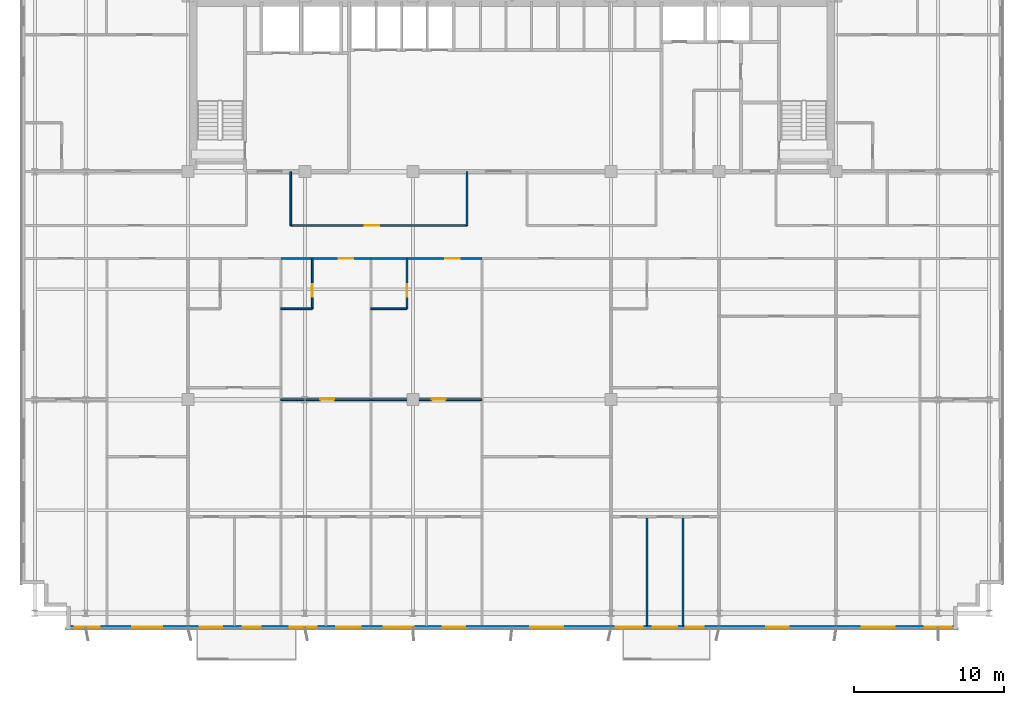
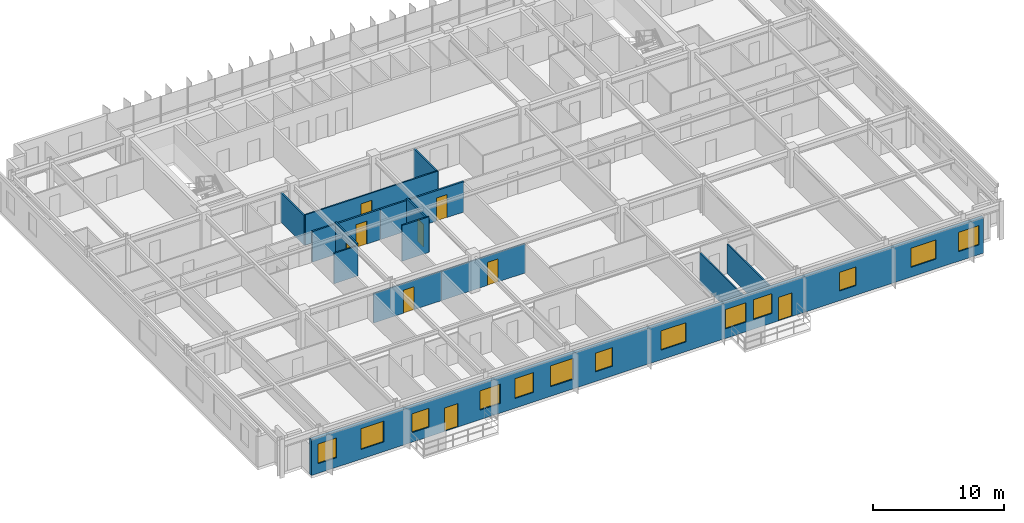
# One storey, part 15 of 22: 14 walls, 13 windows, 9 doors, 22 openings.
"""IFC4 building model written with IfcOpenShell, lengths in metres."""

from ifc_helpers import new_model, si_unit, direction, frame, frame_2d, origin, place, context, subcontext, project, spatial, rectangle, extrude, source, transform, mapped, material, layer, layer_set, type_object, element, fill, save


model = new_model("IFC4")

# Units and contexts
model_context = context("Model", 3, precision=1e-05, world=origin(), true_north=direction((0.0, 1.0)))
body_context = subcontext(model_context, "Body", "Model", "MODEL_VIEW")
ifc_project = project(units=[si_unit("LENGTHUNIT", "METRE"), si_unit("AREAUNIT", "SQUARE_METRE"), si_unit("VOLUMEUNIT", "CUBIC_METRE"), si_unit("PLANEANGLEUNIT", "RADIAN"), si_unit("MASSUNIT", "GRAM", prefix="KILO")], contexts=[model_context])

# Site, building, storey
site_placement = place(None, origin())
site = spatial("IfcSite", under=ifc_project, at=site_placement, CompositionType="ELEMENT")
building_placement = place(site_placement, origin())
building = spatial("IfcBuilding", under=site, at=building_placement, Name="Trelvane Seafront Commons", CompositionType="ELEMENT")
storey_placement = place(building_placement, frame((0.0, 0.0, 117.699951171875)))
storey = spatial("IfcBuildingStorey", under=building, at=storey_placement, Name="L30", CompositionType="ELEMENT", Elevation=117.699951171875)

# Wall, openings, doors, windows
ifc_material_1 = material(Name="Precast concrete C40/50", Category="concrete")
ifc_layer_1 = layer(ifc_material_1, 0.260009765625, Name="ARCH-WALL-EXT260")
ifc_layer_set_1 = layer_set([ifc_layer_1], Name="Precast concrete C40/50")
wall_type_1 = type_object("IfcWallType", Name="ARCH-WALL-EXT260", PredefinedType="SOLIDWALL", material=ifc_layer_set_1)
wall_1_placement = place(storey_placement, frame((66.89990234375, 3.030029296875, 0.0), z_axis=(0.0, 0.0, 1.0), x_axis=(-1.0, 0.0, 0.0)))
wall_1 = element("IfcWall", 1, at=wall_1_placement, inside=storey, type_object=wall_type_1, Name="EW-L30-00578", PredefinedType="SOLIDWALL", context=body_context, shape_type="SweptSolid", body=[
    extrude(rectangle(XDim=59.39990234375, YDim=0.260009765625, at=frame_2d((29.699951171875, 0.0))), origin(), (0.0, 0.0, 1.0), 3.340087890625),
])
opening_1_placement = place(wall_1_placement, frame((0.39501953125, 0.0, 0.89990234375)))
opening_1 = element("IfcOpeningElement", 2, at=opening_1_placement, cuts=wall_1, Name="Opening W01", PredefinedType="OPENING", context=body_context, shape_type="SweptSolid", body=[
    extrude(rectangle(XDim=1.800048828125, YDim=1.800048828125, at=frame_2d((0.89990234375, 0.89990234375))), frame((0.0, 0.139892578125, 0.0), z_axis=(0.0, -1.0, 0.0), x_axis=(1.0, 0.0, 0.0)), (0.0, 0.0, 1.0), 0.280029296875),
])
opening_2_placement = place(wall_1_placement, frame((4.199951171875, 0.0, 0.89990234375)))
opening_2 = element("IfcOpeningElement", 3, at=opening_2_placement, cuts=wall_1, Name="Opening W02", PredefinedType="OPENING", context=body_context, shape_type="SweptSolid", body=[
    extrude(rectangle(XDim=2.199951171875, YDim=1.800048828125, at=frame_2d((1.10009765625, 0.89990234375))), frame((0.0, 0.139892578125, 0.0), z_axis=(0.0, -1.0, 0.0), x_axis=(1.0, 0.0, 0.0)), (0.0, 0.0, 1.0), 0.280029296875),
])
opening_3_placement = place(wall_1_placement, frame((11.25, 0.0, 0.89990234375)))
opening_3 = element("IfcOpeningElement", 4, at=opening_3_placement, cuts=wall_1, Name="Opening W03", PredefinedType="OPENING", context=body_context, shape_type="SweptSolid", body=[
    extrude(rectangle(XDim=1.5, YDim=1.75, at=frame_2d((0.75, 0.875))), frame((0.0, 0.139892578125, 0.0), z_axis=(0.0, -1.0, 0.0), x_axis=(1.0, 0.0, 0.0)), (0.0, 0.0, 1.0), 0.280029296875),
])
opening_4_placement = place(wall_1_placement, frame((16.919921875, 0.0, 0.0)))
opening_4 = element("IfcOpeningElement", 5, at=opening_4_placement, cuts=wall_1, Name="Opening BD-L30-72", PredefinedType="OPENING", context=body_context, shape_type="SweptSolid", body=[
    extrude(rectangle(XDim=1.199951171875, YDim=2.199951171875, at=frame_2d((0.60009765625, 1.10009765625))), frame((0.0, 0.139892578125, 0.0), z_axis=(0.0, -1.0, 0.0), x_axis=(1.0, 0.0, 0.0)), (0.0, 0.0, 1.0), 0.280029296875),
])
opening_5_placement = place(wall_1_placement, frame((18.675048828125, 0.0, 0.89990234375)))
opening_5 = element("IfcOpeningElement", 6, at=opening_5_placement, cuts=wall_1, Name="Opening W07", PredefinedType="OPENING", context=body_context, shape_type="SweptSolid", body=[
    extrude(rectangle(XDim=1.64990234375, YDim=1.85009765625, at=frame_2d((0.824951171875, 0.925048828125))), frame((0.0, 0.139892578125, 0.0), z_axis=(0.0, -1.0, 0.0), x_axis=(1.0, 0.0, 0.0)), (0.0, 0.0, 1.0), 0.280029296875),
])
opening_6_placement = place(wall_1_placement, frame((21.0, 0.0, 0.89990234375)))
opening_6 = element("IfcOpeningElement", 7, at=opening_6_placement, cuts=wall_1, Name="Opening W01", PredefinedType="OPENING", context=body_context, shape_type="SweptSolid", body=[
    extrude(rectangle(XDim=1.800048828125, YDim=1.800048828125, at=frame_2d((0.89990234375, 0.89990234375))), frame((0.0, 0.139892578125, 0.0), z_axis=(0.0, -1.0, 0.0), x_axis=(1.0, 0.0, 0.0)), (0.0, 0.0, 1.0), 0.280029296875),
])
opening_7_placement = place(wall_1_placement, frame((26.300048828125, 0.0, 0.89990234375)))
opening_7 = element("IfcOpeningElement", 8, at=opening_7_placement, cuts=wall_1, Name="Opening W02", PredefinedType="OPENING", context=body_context, shape_type="SweptSolid", body=[
    extrude(rectangle(XDim=2.199951171875, YDim=1.800048828125, at=frame_2d((1.10009765625, 0.89990234375))), frame((0.0, 0.139892578125, 0.0), z_axis=(0.0, -1.0, 0.0), x_axis=(1.0, 0.0, 0.0)), (0.0, 0.0, 1.0), 0.280029296875),
])
opening_8_placement = place(wall_1_placement, frame((32.800048828125, 0.0, 0.89990234375)))
opening_8 = element("IfcOpeningElement", 9, at=opening_8_placement, cuts=wall_1, Name="Opening W03", PredefinedType="OPENING", context=body_context, shape_type="SweptSolid", body=[
    extrude(rectangle(XDim=1.5, YDim=1.75, at=frame_2d((0.75, 0.875))), frame((0.0, 0.139892578125, 0.0), z_axis=(0.0, -1.0, 0.0), x_axis=(1.0, 0.0, 0.0)), (0.0, 0.0, 1.0), 0.280029296875),
])
opening_9_placement = place(wall_1_placement, frame((36.25, 0.0, 0.89990234375)))
opening_9 = element("IfcOpeningElement", 10, at=opening_9_placement, cuts=wall_1, Name="Opening W06", PredefinedType="OPENING", context=body_context, shape_type="SweptSolid", body=[
    extrude(rectangle(XDim=2.0, YDim=1.949951171875, at=frame_2d((1.0, 0.97509765625))), frame((0.0, 0.139892578125, 0.0), z_axis=(0.0, -1.0, 0.0), x_axis=(1.0, 0.0, 0.0)), (0.0, 0.0, 1.0), 0.280029296875),
])
opening_10_placement = place(wall_1_placement, frame((39.77490234375, 0.0, 0.89990234375)))
opening_10 = element("IfcOpeningElement", 11, at=opening_10_placement, cuts=wall_1, Name="Opening W07", PredefinedType="OPENING", context=body_context, shape_type="SweptSolid", body=[
    extrude(rectangle(XDim=1.64990234375, YDim=1.85009765625, at=frame_2d((0.824951171875, 0.925048828125))), frame((0.0, 0.139892578125, 0.0), z_axis=(0.0, -1.0, 0.0), x_axis=(1.0, 0.0, 0.0)), (0.0, 0.0, 1.0), 0.280029296875),
])
opening_11_placement = place(wall_1_placement, frame((42.699951171875, 0.0, 0.89990234375)))
opening_11 = element("IfcOpeningElement", 12, at=opening_11_placement, cuts=wall_1, Name="Opening W01", PredefinedType="OPENING", context=body_context, shape_type="SweptSolid", body=[
    extrude(rectangle(XDim=1.800048828125, YDim=1.800048828125, at=frame_2d((0.89990234375, 0.89990234375))), frame((0.0, 0.139892578125, 0.0), z_axis=(0.0, -1.0, 0.0), x_axis=(1.0, 0.0, 0.0)), (0.0, 0.0, 1.0), 0.280029296875),
])
opening_12_placement = place(wall_1_placement, frame((46.43505859375, 0.0, 0.0)))
opening_12 = element("IfcOpeningElement", 13, at=opening_12_placement, cuts=wall_1, Name="Opening BD-L30-73", PredefinedType="OPENING", context=body_context, shape_type="SweptSolid", body=[
    extrude(rectangle(XDim=1.199951171875, YDim=2.199951171875, at=frame_2d((0.60009765625, 1.10009765625))), frame((0.0, 0.139892578125, 0.0), z_axis=(0.0, -1.0, 0.0), x_axis=(1.0, 0.0, 0.0)), (0.0, 0.0, 1.0), 0.280029296875),
])
opening_13_placement = place(wall_1_placement, frame((49.0, 0.0, 0.89990234375)))
opening_13 = element("IfcOpeningElement", 14, at=opening_13_placement, cuts=wall_1, Name="Opening W03", PredefinedType="OPENING", context=body_context, shape_type="SweptSolid", body=[
    extrude(rectangle(XDim=1.5, YDim=1.75, at=frame_2d((0.75, 0.875))), frame((0.0, 0.139892578125, 0.0), z_axis=(0.0, -1.0, 0.0), x_axis=(1.0, 0.0, 0.0)), (0.0, 0.0, 1.0), 0.280029296875),
])
opening_14_placement = place(wall_1_placement, frame((53.0, 0.0, 0.89990234375)))
opening_14 = element("IfcOpeningElement", 15, at=opening_14_placement, cuts=wall_1, Name="Opening W06", PredefinedType="OPENING", context=body_context, shape_type="SweptSolid", body=[
    extrude(rectangle(XDim=2.0, YDim=1.949951171875, at=frame_2d((1.0, 0.97509765625))), frame((0.0, 0.139892578125, 0.0), z_axis=(0.0, -1.0, 0.0), x_axis=(1.0, 0.0, 0.0)), (0.0, 0.0, 1.0), 0.280029296875),
])
opening_15_placement = place(wall_1_placement, frame((57.179931640625, 0.0, 0.89990234375)))
opening_15 = element("IfcOpeningElement", 16, at=opening_15_placement, cuts=wall_1, Name="Opening W07", PredefinedType="OPENING", context=body_context, shape_type="SweptSolid", body=[
    extrude(rectangle(XDim=1.64990234375, YDim=1.85009765625, at=frame_2d((0.824951171875, 0.925048828125))), frame((0.0, 0.139892578125, 0.0), z_axis=(0.0, -1.0, 0.0), x_axis=(1.0, 0.0, 0.0)), (0.0, 0.0, 1.0), 0.280029296875),
])
ifc_material_2 = material(Name="Powder-coated aluminium frame", Category="aluminium")
door_type_1 = type_object("IfcDoorType", Name="ARCH-DR-BAL1200", OperationType="NOTDEFINED", PredefinedType="DOOR", material=ifc_material_2)
shared_shape_1 = source(origin(), body_context, "Body", "SweptSolid", [
    extrude(rectangle(XDim=1.199951171875, YDim=2.199951171875, at=frame_2d((0.60009765625, 1.10009765625))), frame((0.0, 0.02490234375, 0.0), z_axis=(0.0, -1.0, 0.0), x_axis=(1.0, 0.0, 0.0)), (0.0, 0.0, 1.0), 0.050048828125),
])
door_1_placement = place(opening_4_placement, origin())
door_1 = element("IfcDoor", 17, at=door_1_placement, inside=storey, type_object=door_type_1, Name="L30 Balcony Terrace Access Door", OperationType="SINGLE_SWING_LEFT", OverallHeight=2.199951171875, OverallWidth=1.199951171875, PredefinedType="DOOR", context=body_context, shape_type="MappedRepresentation", body=[
    mapped(shared_shape_1, transform((0.0, 0.0, 0.0), x_axis=(1.0, 0.0, 0.0), y_axis=(0.0, 1.0, 0.0), z_axis=(0.0, 0.0, 1.0), scale=1.0)),
])
fill(opening_4, door_1)
door_2_placement = place(opening_12_placement, origin())
door_2 = element("IfcDoor", 18, at=door_2_placement, inside=storey, type_object=door_type_1, Name="L30 Balcony Terrace Access Door", OperationType="SINGLE_SWING_LEFT", OverallHeight=2.199951171875, OverallWidth=1.199951171875, PredefinedType="DOOR", context=body_context, shape_type="MappedRepresentation", body=[
    mapped(shared_shape_1, transform((0.0, 0.0, 0.0), x_axis=(1.0, 0.0, 0.0), y_axis=(0.0, 1.0, 0.0), z_axis=(0.0, 0.0, 1.0), scale=1.0)),
])
fill(opening_12, door_2)
ifc_material_3 = material(Name="Low-E coastal double glazing", Category="glass")
window_type_1 = type_object("IfcWindowType", Name="ARCH-WIN-W02", PartitioningType="SINGLE_PANEL", PredefinedType="WINDOW", material=ifc_material_3)
shared_shape_2 = source(origin(), body_context, "Body", "SweptSolid", [
    extrude(rectangle(XDim=2.199951171875, YDim=1.800048828125, at=frame_2d((1.10009765625, 0.89990234375))), frame((0.0, 0.030029296875, 0.0), z_axis=(0.0, -1.0, 0.0), x_axis=(1.0, 0.0, 0.0)), (0.0, 0.0, 1.0), 0.06005859375),
])
window_1_placement = place(opening_2_placement, origin())
window_1 = element("IfcWindow", 19, at=window_1_placement, inside=storey, type_object=window_type_1, Name="WIN-L30-00683", OverallHeight=1.800048828125, OverallWidth=2.199951171875, PartitioningType="SINGLE_PANEL", PredefinedType="WINDOW", context=body_context, shape_type="MappedRepresentation", body=[
    mapped(shared_shape_2, transform((0.0, 0.0, 0.0), x_axis=(1.0, 0.0, 0.0), y_axis=(0.0, 1.0, 0.0), z_axis=(0.0, 0.0, 1.0), scale=1.0)),
])
fill(opening_2, window_1)
window_2_placement = place(opening_7_placement, origin())
window_2 = element("IfcWindow", 20, at=window_2_placement, inside=storey, type_object=window_type_1, Name="WIN-L30-00687", OverallHeight=1.800048828125, OverallWidth=2.199951171875, PartitioningType="SINGLE_PANEL", PredefinedType="WINDOW", context=body_context, shape_type="MappedRepresentation", body=[
    mapped(shared_shape_2, transform((0.0, 0.0, 0.0), x_axis=(1.0, 0.0, 0.0), y_axis=(0.0, 1.0, 0.0), z_axis=(0.0, 0.0, 1.0), scale=1.0)),
])
fill(opening_7, window_2)
window_type_2 = type_object("IfcWindowType", Name="ARCH-WIN-W03", PartitioningType="SINGLE_PANEL", PredefinedType="WINDOW", material=ifc_material_3)
shared_shape_3 = source(origin(), body_context, "Body", "SweptSolid", [
    extrude(rectangle(XDim=1.5, YDim=1.75, at=frame_2d((0.75, 0.875))), frame((0.0, 0.030029296875, 0.0), z_axis=(0.0, -1.0, 0.0), x_axis=(1.0, 0.0, 0.0)), (0.0, 0.0, 1.0), 0.06005859375),
])
window_3_placement = place(opening_3_placement, origin())
window_3 = element("IfcWindow", 21, at=window_3_placement, inside=storey, type_object=window_type_2, Name="WIN-L30-00684", OverallHeight=1.75, OverallWidth=1.5, PartitioningType="SINGLE_PANEL", PredefinedType="WINDOW", context=body_context, shape_type="MappedRepresentation", body=[
    mapped(shared_shape_3, transform((0.0, 0.0, 0.0), x_axis=(1.0, 0.0, 0.0), y_axis=(0.0, 1.0, 0.0), z_axis=(0.0, 0.0, 1.0), scale=1.0)),
])
fill(opening_3, window_3)
window_4_placement = place(opening_8_placement, origin())
window_4 = element("IfcWindow", 22, at=window_4_placement, inside=storey, type_object=window_type_2, Name="WIN-L30-00688", OverallHeight=1.75, OverallWidth=1.5, PartitioningType="SINGLE_PANEL", PredefinedType="WINDOW", context=body_context, shape_type="MappedRepresentation", body=[
    mapped(shared_shape_3, transform((0.0, 0.0, 0.0), x_axis=(1.0, 0.0, 0.0), y_axis=(0.0, 1.0, 0.0), z_axis=(0.0, 0.0, 1.0), scale=1.0)),
])
fill(opening_8, window_4)
window_5_placement = place(opening_13_placement, origin())
window_5 = element("IfcWindow", 23, at=window_5_placement, inside=storey, type_object=window_type_2, Name="WIN-L30-00692", OverallHeight=1.75, OverallWidth=1.5, PartitioningType="SINGLE_PANEL", PredefinedType="WINDOW", context=body_context, shape_type="MappedRepresentation", body=[
    mapped(shared_shape_3, transform((0.0, 0.0, 0.0), x_axis=(1.0, 0.0, 0.0), y_axis=(0.0, 1.0, 0.0), z_axis=(0.0, 0.0, 1.0), scale=1.0)),
])
fill(opening_13, window_5)
window_type_3 = type_object("IfcWindowType", Name="ARCH-WIN-W06", PartitioningType="SINGLE_PANEL", PredefinedType="WINDOW", material=ifc_material_3)
shared_shape_4 = source(origin(), body_context, "Body", "SweptSolid", [
    extrude(rectangle(XDim=2.0, YDim=1.949951171875, at=frame_2d((1.0, 0.97509765625))), frame((0.0, 0.030029296875, 0.0), z_axis=(0.0, -1.0, 0.0), x_axis=(1.0, 0.0, 0.0)), (0.0, 0.0, 1.0), 0.06005859375),
])
window_6_placement = place(opening_9_placement, origin())
window_6 = element("IfcWindow", 24, at=window_6_placement, inside=storey, type_object=window_type_3, Name="WIN-L30-00689", OverallHeight=1.949951171875, OverallWidth=2.0, PartitioningType="SINGLE_PANEL", PredefinedType="WINDOW", context=body_context, shape_type="MappedRepresentation", body=[
    mapped(shared_shape_4, transform((0.0, 0.0, 0.0), x_axis=(1.0, 0.0, 0.0), y_axis=(0.0, 1.0, 0.0), z_axis=(0.0, 0.0, 1.0), scale=1.0)),
])
fill(opening_9, window_6)
window_7_placement = place(opening_14_placement, origin())
window_7 = element("IfcWindow", 25, at=window_7_placement, inside=storey, type_object=window_type_3, Name="WIN-L30-00693", OverallHeight=1.949951171875, OverallWidth=2.0, PartitioningType="SINGLE_PANEL", PredefinedType="WINDOW", context=body_context, shape_type="MappedRepresentation", body=[
    mapped(shared_shape_4, transform((0.0, 0.0, 0.0), x_axis=(1.0, 0.0, 0.0), y_axis=(0.0, 1.0, 0.0), z_axis=(0.0, 0.0, 1.0), scale=1.0)),
])
fill(opening_14, window_7)
window_type_4 = type_object("IfcWindowType", Name="ARCH-WIN-W01", PartitioningType="SINGLE_PANEL", PredefinedType="WINDOW", material=ifc_material_3)
shared_shape_5 = source(origin(), body_context, "Body", "SweptSolid", [
    extrude(rectangle(XDim=1.800048828125, YDim=1.800048828125, at=frame_2d((0.89990234375, 0.89990234375))), frame((0.0, 0.030029296875, 0.0), z_axis=(0.0, -1.0, 0.0), x_axis=(1.0, 0.0, 0.0)), (0.0, 0.0, 1.0), 0.06005859375),
])
window_8_placement = place(opening_1_placement, origin())
window_8 = element("IfcWindow", 26, at=window_8_placement, inside=storey, type_object=window_type_4, Name="WIN-L30-00682", OverallHeight=1.800048828125, OverallWidth=1.800048828125, PartitioningType="SINGLE_PANEL", PredefinedType="WINDOW", context=body_context, shape_type="MappedRepresentation", body=[
    mapped(shared_shape_5, transform((0.0, 0.0, 0.0), x_axis=(1.0, 0.0, 0.0), y_axis=(0.0, 1.0, 0.0), z_axis=(0.0, 0.0, 1.0), scale=1.0)),
])
fill(opening_1, window_8)
window_9_placement = place(opening_6_placement, origin())
window_9 = element("IfcWindow", 27, at=window_9_placement, inside=storey, type_object=window_type_4, Name="WIN-L30-00686", OverallHeight=1.800048828125, OverallWidth=1.800048828125, PartitioningType="SINGLE_PANEL", PredefinedType="WINDOW", context=body_context, shape_type="MappedRepresentation", body=[
    mapped(shared_shape_5, transform((0.0, 0.0, 0.0), x_axis=(1.0, 0.0, 0.0), y_axis=(0.0, 1.0, 0.0), z_axis=(0.0, 0.0, 1.0), scale=1.0)),
])
fill(opening_6, window_9)
window_10_placement = place(opening_11_placement, origin())
window_10 = element("IfcWindow", 28, at=window_10_placement, inside=storey, type_object=window_type_4, Name="WIN-L30-00691", OverallHeight=1.800048828125, OverallWidth=1.800048828125, PartitioningType="SINGLE_PANEL", PredefinedType="WINDOW", context=body_context, shape_type="MappedRepresentation", body=[
    mapped(shared_shape_5, transform((0.0, 0.0, 0.0), x_axis=(1.0, 0.0, 0.0), y_axis=(0.0, 1.0, 0.0), z_axis=(0.0, 0.0, 1.0), scale=1.0)),
])
fill(opening_11, window_10)
window_type_5 = type_object("IfcWindowType", Name="ARCH-WIN-W07", PartitioningType="SINGLE_PANEL", PredefinedType="WINDOW", material=ifc_material_3)
shared_shape_6 = source(origin(), body_context, "Body", "SweptSolid", [
    extrude(rectangle(XDim=1.64990234375, YDim=1.85009765625, at=frame_2d((0.824951171875, 0.925048828125))), frame((0.0, 0.030029296875, 0.0), z_axis=(0.0, -1.0, 0.0), x_axis=(1.0, 0.0, 0.0)), (0.0, 0.0, 1.0), 0.06005859375),
])
window_11_placement = place(opening_5_placement, origin())
window_11 = element("IfcWindow", 29, at=window_11_placement, inside=storey, type_object=window_type_5, Name="WIN-L30-00685", OverallHeight=1.85009765625, OverallWidth=1.64990234375, PartitioningType="SINGLE_PANEL", PredefinedType="WINDOW", context=body_context, shape_type="MappedRepresentation", body=[
    mapped(shared_shape_6, transform((0.0, 0.0, 0.0), x_axis=(1.0, 0.0, 0.0), y_axis=(0.0, 1.0, 0.0), z_axis=(0.0, 0.0, 1.0), scale=1.0)),
])
fill(opening_5, window_11)
window_12_placement = place(opening_10_placement, origin())
window_12 = element("IfcWindow", 30, at=window_12_placement, inside=storey, type_object=window_type_5, Name="WIN-L30-00690", OverallHeight=1.85009765625, OverallWidth=1.64990234375, PartitioningType="SINGLE_PANEL", PredefinedType="WINDOW", context=body_context, shape_type="MappedRepresentation", body=[
    mapped(shared_shape_6, transform((0.0, 0.0, 0.0), x_axis=(1.0, 0.0, 0.0), y_axis=(0.0, 1.0, 0.0), z_axis=(0.0, 0.0, 1.0), scale=1.0)),
])
fill(opening_10, window_12)
window_13_placement = place(opening_15_placement, origin())
window_13 = element("IfcWindow", 31, at=window_13_placement, inside=storey, type_object=window_type_5, Name="WIN-L30-00694", OverallHeight=1.85009765625, OverallWidth=1.64990234375, PartitioningType="SINGLE_PANEL", PredefinedType="WINDOW", context=body_context, shape_type="MappedRepresentation", body=[
    mapped(shared_shape_6, transform((0.0, 0.0, 0.0), x_axis=(1.0, 0.0, 0.0), y_axis=(0.0, 1.0, 0.0), z_axis=(0.0, 0.0, 1.0), scale=1.0)),
])
fill(opening_15, window_13)

# Wall, opening, door
ifc_material_4 = material(Name="Gypsum Drywall Acoustic Partition")
ifc_layer_2 = layer(ifc_material_4, 0.1201171875, Name="ARCH-WALL-PART120")
ifc_layer_set_2 = layer_set([ifc_layer_2], Name="Gypsum Drywall Acoustic Partition")
wall_type_2 = type_object("IfcWallType", Name="ARCH-WALL-PART120", PredefinedType="PARTITIONING", material=ifc_layer_set_2)
wall_2_placement = place(storey_placement, frame((22.449951171875, 29.800048828125, 0.0), z_axis=(0.0, 0.0, 1.0), x_axis=(1.0, 0.0, 0.0)))
wall_2 = element("IfcWall", 32, at=wall_2_placement, inside=storey, type_object=wall_type_2, Name="W-L30-CORR-N-M1-039", PredefinedType="PARTITIONING", context=body_context, shape_type="SweptSolid", body=[
    extrude(rectangle(XDim=11.75, YDim=0.1201171875, at=frame_2d((5.875, 0.0))), origin(), (0.0, 0.0, 1.0), 2.840087890625),
])
opening_16_placement = place(wall_2_placement, frame((4.944091796875, 0.0, 0.0)))
opening_16 = element("IfcOpeningElement", 33, at=opening_16_placement, cuts=wall_2, Name="Opening D-L30-18", PredefinedType="OPENING", context=body_context, shape_type="SweptSolid", body=[
    extrude(rectangle(XDim=0.949951171875, YDim=2.14990234375, at=frame_2d((0.47509765625, 1.074951171875))), frame((0.0, 0.070068359375, 0.0), z_axis=(0.0, -1.0, 0.0), x_axis=(1.0, 0.0, 0.0)), (0.0, 0.0, 1.0), 0.14013671875),
])
ifc_material_5 = material(Name="Acoustic timber door leaf", Category="wood")
door_type_2 = type_object("IfcDoorType", Name="ARCH-DR-INT950", OperationType="NOTDEFINED", PredefinedType="DOOR", material=ifc_material_5)
shared_shape_7 = source(origin(), body_context, "Body", "SweptSolid", [
    extrude(rectangle(XDim=0.949951171875, YDim=2.14990234375, at=frame_2d((0.47509765625, 1.074951171875))), frame((0.0, 0.02490234375, 0.0), z_axis=(0.0, -1.0, 0.0), x_axis=(1.0, 0.0, 0.0)), (0.0, 0.0, 1.0), 0.050048828125),
])
door_3_placement = place(opening_16_placement, origin())
door_3 = element("IfcDoor", 34, at=door_3_placement, inside=storey, type_object=door_type_2, Name="L30 Door 18", OperationType="SINGLE_SWING_RIGHT", OverallHeight=2.14990234375, OverallWidth=0.949951171875, PredefinedType="DOOR", context=body_context, shape_type="MappedRepresentation", body=[
    mapped(shared_shape_7, transform((0.0, 0.0, 0.0), x_axis=(1.0, 0.0, 0.0), y_axis=(0.0, 1.0, 0.0), z_axis=(0.0, 0.0, 1.0), scale=1.0)),
])
fill(opening_16, door_3)

# Walls
for number, where, z_axis, x_axis, name in (
    (35, (22.449951171875, 29.800048828125, 0.0), (0.0, 0.0, 1.0), (0.0, 1.0, 0.0), "W-L30-N-SPUR-W2-044"),
    (36, (34.199951171875, 29.800048828125, 0.0), (0.0, 0.0, 1.0), (0.0, 1.0, 0.0), "W-L30-N-SPUR-M1-045"),
):
    element("IfcWall", number, at=place(storey_placement, frame(where, z_axis=z_axis, x_axis=x_axis)), inside=storey, type_object=wall_type_2, Name=name, PredefinedType="PARTITIONING", context=body_context, shape_type="SweptSolid", body=[
        extrude(rectangle(XDim=3.599853515625, YDim=0.1201171875, at=frame_2d((1.7998046875, 0.0))), origin(), (0.0, 0.0, 1.0), 2.751953125),
    ])

# Wall, opening, door
wall_3_placement = place(storey_placement, frame((21.800048828125, 18.199951171875, 0.0), z_axis=(0.0, 0.0, 1.0), x_axis=(1.0, 0.0, 0.0)))
wall_3 = element("IfcWall", 37, at=wall_3_placement, inside=storey, type_object=wall_type_2, Name="W-L30-U4-KL-084", PredefinedType="PARTITIONING", context=body_context, shape_type="SweptSolid", body=[
    extrude(rectangle(XDim=6.0, YDim=0.1201171875, at=frame_2d((3.0, 0.0))), origin(), (0.0, 0.0, 1.0), 2.751953125),
])
opening_17_placement = place(wall_3_placement, frame((2.617919921875, 0.0, 0.0)))
opening_17 = element("IfcOpeningElement", 38, at=opening_17_placement, cuts=wall_3, Name="Opening D-L30-42", PredefinedType="OPENING", context=body_context, shape_type="SweptSolid", body=[
    extrude(rectangle(XDim=0.949951171875, YDim=2.14990234375, at=frame_2d((0.47509765625, 1.074951171875))), frame((0.0, 0.070068359375, 0.0), z_axis=(0.0, -1.0, 0.0), x_axis=(1.0, 0.0, 0.0)), (0.0, 0.0, 1.0), 0.14013671875),
])
door_4_placement = place(opening_17_placement, origin())
door_4 = element("IfcDoor", 39, at=door_4_placement, inside=storey, type_object=door_type_2, Name="L30 Door 42", OperationType="SINGLE_SWING_RIGHT", OverallHeight=2.14990234375, OverallWidth=0.949951171875, PredefinedType="DOOR", context=body_context, shape_type="MappedRepresentation", body=[
    mapped(shared_shape_7, transform((0.0, 0.0, 0.0), x_axis=(1.0, 0.0, 0.0), y_axis=(0.0, 1.0, 0.0), z_axis=(0.0, 0.0, 1.0), scale=1.0)),
])
fill(opening_17, door_4)

wall_4_placement = place(storey_placement, frame((23.889892578125, 24.25, 0.0), z_axis=(0.0, 0.0, 1.0), x_axis=(0.0, 1.0, 0.0)))
wall_4 = element("IfcWall", 40, at=wall_4_placement, inside=storey, type_object=wall_type_2, Name="W-L30-U4-BE-085", PredefinedType="PARTITIONING", context=body_context, shape_type="SweptSolid", body=[
    extrude(rectangle(XDim=3.35009765625, YDim=0.1201171875, at=frame_2d((1.675048828125, 0.0))), origin(), (0.0, 0.0, 1.0), 2.989990234375),
])
opening_18_placement = place(wall_4_placement, frame((0.800048828125, 0.0, 0.0)))
opening_18 = element("IfcOpeningElement", 41, at=opening_18_placement, cuts=wall_4, Name="Opening D-L30-43", PredefinedType="OPENING", context=body_context, shape_type="SweptSolid", body=[
    extrude(rectangle(XDim=0.85009765625, YDim=2.10009765625, at=frame_2d((0.425048828125, 1.050048828125))), frame((0.0, 0.070068359375, 0.0), z_axis=(0.0, -1.0, 0.0), x_axis=(1.0, 0.0, 0.0)), (0.0, 0.0, 1.0), 0.14013671875),
])
door_type_3 = type_object("IfcDoorType", Name="ARCH-DR-INT850", OperationType="NOTDEFINED", PredefinedType="DOOR", material=ifc_material_5)
shared_shape_8 = source(origin(), body_context, "Body", "SweptSolid", [
    extrude(rectangle(XDim=0.85009765625, YDim=2.10009765625, at=frame_2d((0.425048828125, 1.050048828125))), frame((0.0, 0.02490234375, 0.0), z_axis=(0.0, -1.0, 0.0), x_axis=(1.0, 0.0, 0.0)), (0.0, 0.0, 1.0), 0.050048828125),
])
door_5_placement = place(opening_18_placement, origin())
door_5 = element("IfcDoor", 42, at=door_5_placement, inside=storey, type_object=door_type_3, Name="L30 Door 43", OperationType="SINGLE_SWING_LEFT", OverallHeight=2.10009765625, OverallWidth=0.85009765625, PredefinedType="DOOR", context=body_context, shape_type="MappedRepresentation", body=[
    mapped(shared_shape_8, transform((0.0, 0.0, 0.0), x_axis=(1.0, 0.0, 0.0), y_axis=(0.0, 1.0, 0.0), z_axis=(0.0, 0.0, 1.0), scale=1.0)),
])
fill(opening_18, door_5)

# Wall
wall_5_placement = place(storey_placement, frame((21.800048828125, 24.25, 0.0), z_axis=(0.0, 0.0, 1.0), x_axis=(1.0, 0.0, 0.0)))
element("IfcWall", 43, at=wall_5_placement, inside=storey, type_object=wall_type_2, Name="W-L30-U4-BS-086", PredefinedType="PARTITIONING", context=body_context, shape_type="SweptSolid", body=[
    extrude(rectangle(XDim=2.08984375, YDim=0.1201171875, at=frame_2d((1.044921875, 0.0))), origin(), (0.0, 0.0, 1.0), 2.840087890625),
])

# Wall, opening, door
wall_6_placement = place(storey_placement, frame((27.800048828125, 18.199951171875, 0.0), z_axis=(0.0, 0.0, 1.0), x_axis=(1.0, 0.0, 0.0)))
wall_6 = element("IfcWall", 44, at=wall_6_placement, inside=storey, type_object=wall_type_2, Name="W-L30-U5-KL-091", PredefinedType="PARTITIONING", context=body_context, shape_type="SweptSolid", body=[
    extrude(rectangle(XDim=7.39990234375, YDim=0.1201171875, at=frame_2d((3.699951171875, 0.0))), origin(), (0.0, 0.0, 1.0), 2.751953125),
])
opening_19_placement = place(wall_6_placement, frame((4.051025390625, 0.0, 0.0)))
opening_19 = element("IfcOpeningElement", 45, at=opening_19_placement, cuts=wall_6, Name="Opening D-L30-47", PredefinedType="OPENING", context=body_context, shape_type="SweptSolid", body=[
    extrude(rectangle(XDim=0.949951171875, YDim=2.14990234375, at=frame_2d((0.47509765625, 1.074951171875))), frame((0.0, 0.070068359375, 0.0), z_axis=(0.0, -1.0, 0.0), x_axis=(1.0, 0.0, 0.0)), (0.0, 0.0, 1.0), 0.14013671875),
])
door_6_placement = place(opening_19_placement, origin())
door_6 = element("IfcDoor", 46, at=door_6_placement, inside=storey, type_object=door_type_2, Name="L30 Door 47", OperationType="SINGLE_SWING_LEFT", OverallHeight=2.14990234375, OverallWidth=0.949951171875, PredefinedType="DOOR", context=body_context, shape_type="MappedRepresentation", body=[
    mapped(shared_shape_7, transform((0.0, 0.0, 0.0), x_axis=(1.0, 0.0, 0.0), y_axis=(0.0, 1.0, 0.0), z_axis=(0.0, 0.0, 1.0), scale=1.0)),
])
fill(opening_19, door_6)

wall_7_placement = place(storey_placement, frame((30.199951171875, 24.25, 0.0), z_axis=(0.0, 0.0, 1.0), x_axis=(0.0, 1.0, 0.0)))
wall_7 = element("IfcWall", 47, at=wall_7_placement, inside=storey, type_object=wall_type_2, Name="W-L30-U5-BE-092", PredefinedType="PARTITIONING", context=body_context, shape_type="SweptSolid", body=[
    extrude(rectangle(XDim=3.35009765625, YDim=0.1201171875, at=frame_2d((1.675048828125, 0.0))), origin(), (0.0, 0.0, 1.0), 2.989990234375),
])
opening_20_placement = place(wall_7_placement, frame((0.800048828125, 0.0, 0.0)))
opening_20 = element("IfcOpeningElement", 48, at=opening_20_placement, cuts=wall_7, Name="Opening D-L30-48", PredefinedType="OPENING", context=body_context, shape_type="SweptSolid", body=[
    extrude(rectangle(XDim=0.85009765625, YDim=2.10009765625, at=frame_2d((0.425048828125, 1.050048828125))), frame((0.0, 0.070068359375, 0.0), z_axis=(0.0, -1.0, 0.0), x_axis=(1.0, 0.0, 0.0)), (0.0, 0.0, 1.0), 0.14013671875),
])
door_7_placement = place(opening_20_placement, origin())
door_7 = element("IfcDoor", 49, at=door_7_placement, inside=storey, type_object=door_type_3, Name="L30 Door 48", OperationType="SINGLE_SWING_RIGHT", OverallHeight=2.10009765625, OverallWidth=0.85009765625, PredefinedType="DOOR", context=body_context, shape_type="MappedRepresentation", body=[
    mapped(shared_shape_8, transform((0.0, 0.0, 0.0), x_axis=(1.0, 0.0, 0.0), y_axis=(0.0, 1.0, 0.0), z_axis=(0.0, 0.0, 1.0), scale=1.0)),
])
fill(opening_20, door_7)

# Walls
wall_8_placement = place(storey_placement, frame((27.800048828125, 24.25, 0.0), z_axis=(0.0, 0.0, 1.0), x_axis=(1.0, 0.0, 0.0)))
element("IfcWall", 50, at=wall_8_placement, inside=storey, type_object=wall_type_2, Name="W-L30-U5-BS-093", PredefinedType="PARTITIONING", context=body_context, shape_type="SweptSolid", body=[
    extrude(rectangle(XDim=2.39990234375, YDim=0.1201171875, at=frame_2d((1.199951171875, 0.0))), origin(), (0.0, 0.0, 1.0), 3.340087890625),
])
for number, where, z_axis, x_axis, name in (
    (51, (46.199951171875, 3.14501953125, 0.0), (0.0, 0.0, 1.0), (0.0, 1.0, 0.0), "W-L30-U7-BDV-1-106"),
    (52, (48.60009765625, 3.14501953125, 0.0), (0.0, 0.0, 1.0), (0.0, 1.0, 0.0), "W-L30-U7-BDV-2-108"),
):
    element("IfcWall", number, at=place(storey_placement, frame(where, z_axis=z_axis, x_axis=x_axis)), inside=storey, type_object=wall_type_2, Name=name, PredefinedType="PARTITIONING", context=body_context, shape_type="SweptSolid", body=[
        extrude(rectangle(XDim=7.2548828125, YDim=0.1201171875, at=frame_2d((3.62744140625, 0.0))), origin(), (0.0, 0.0, 1.0), 2.751953125),
    ])

# Wall, opening, door
ifc_layer_3 = layer(ifc_material_4, 0.14990234375, Name="ARCH-WALL-PART150")
ifc_layer_set_3 = layer_set([ifc_layer_3], Name="Gypsum Drywall Acoustic Partition")
wall_type_3 = type_object("IfcWallType", Name="ARCH-WALL-PART150", PredefinedType="PARTITIONING", material=ifc_layer_set_3)
wall_9_placement = place(storey_placement, frame((21.800048828125, 27.60009765625, 0.0), z_axis=(0.0, 0.0, 1.0), x_axis=(1.0, 0.0, 0.0)))
wall_9 = element("IfcWall", 53, at=wall_9_placement, inside=storey, type_object=wall_type_3, Name="W-L30-CS-BAY-4-087", PredefinedType="PARTITIONING", context=body_context, shape_type="SweptSolid", body=[
    extrude(rectangle(XDim=6.0, YDim=0.14990234375, at=frame_2d((3.0, 0.0))), origin(), (0.0, 0.0, 1.0), 2.840087890625),
])
opening_21_placement = place(wall_9_placement, frame((3.864990234375, 0.0, 0.0)))
opening_21 = element("IfcOpeningElement", 54, at=opening_21_placement, cuts=wall_9, Name="Opening FD-L30-44", PredefinedType="OPENING", context=body_context, shape_type="SweptSolid", body=[
    extrude(rectangle(XDim=0.949951171875, YDim=2.14990234375, at=frame_2d((0.47509765625, 1.074951171875))), frame((0.0, 0.0849609375, 0.0), z_axis=(0.0, -1.0, 0.0), x_axis=(1.0, 0.0, 0.0)), (0.0, 0.0, 1.0), 0.169921875),
])
door_type_4 = type_object("IfcDoorType", Name="ARCH-DR-FD60-950", OperationType="NOTDEFINED", PredefinedType="DOOR", material=ifc_material_2)
door_8_placement = place(opening_21_placement, origin())
door_8 = element("IfcDoor", 55, at=door_8_placement, inside=storey, type_object=door_type_4, Name="L30 Unit 04 Entrance Door", OperationType="SINGLE_SWING_RIGHT", OverallHeight=2.14990234375, OverallWidth=0.949951171875, PredefinedType="DOOR", context=body_context, shape_type="MappedRepresentation", body=[
    mapped(shared_shape_7, transform((0.0, 0.0, 0.0), x_axis=(1.0, 0.0, 0.0), y_axis=(0.0, 1.0, 0.0), z_axis=(0.0, 0.0, 1.0), scale=1.0)),
])
fill(opening_21, door_8)

wall_10_placement = place(storey_placement, frame((27.800048828125, 27.60009765625, 0.0), z_axis=(0.0, 0.0, 1.0), x_axis=(1.0, 0.0, 0.0)))
wall_10 = element("IfcWall", 56, at=wall_10_placement, inside=storey, type_object=wall_type_3, Name="W-L30-CS-BAY-5-094", PredefinedType="PARTITIONING", context=body_context, shape_type="SweptSolid", body=[
    extrude(rectangle(XDim=7.39990234375, YDim=0.14990234375, at=frame_2d((3.699951171875, 0.0))), origin(), (0.0, 0.0, 1.0), 2.840087890625),
])
opening_22_placement = place(wall_10_placement, frame((4.967041015625, 0.0, 0.0)))
opening_22 = element("IfcOpeningElement", 57, at=opening_22_placement, cuts=wall_10, Name="Opening FD-L30-49", PredefinedType="OPENING", context=body_context, shape_type="SweptSolid", body=[
    extrude(rectangle(XDim=0.949951171875, YDim=2.14990234375, at=frame_2d((0.47509765625, 1.074951171875))), frame((0.0, 0.0849609375, 0.0), z_axis=(0.0, -1.0, 0.0), x_axis=(1.0, 0.0, 0.0)), (0.0, 0.0, 1.0), 0.169921875),
])
door_9_placement = place(opening_22_placement, origin())
door_9 = element("IfcDoor", 58, at=door_9_placement, inside=storey, type_object=door_type_4, Name="L30 Unit 05 Entrance Door", OperationType="SINGLE_SWING_LEFT", OverallHeight=2.14990234375, OverallWidth=0.949951171875, PredefinedType="DOOR", context=body_context, shape_type="MappedRepresentation", body=[
    mapped(shared_shape_7, transform((0.0, 0.0, 0.0), x_axis=(1.0, 0.0, 0.0), y_axis=(0.0, 1.0, 0.0), z_axis=(0.0, 0.0, 1.0), scale=1.0)),
])
fill(opening_22, door_9)

save(model, "model.ifc")
